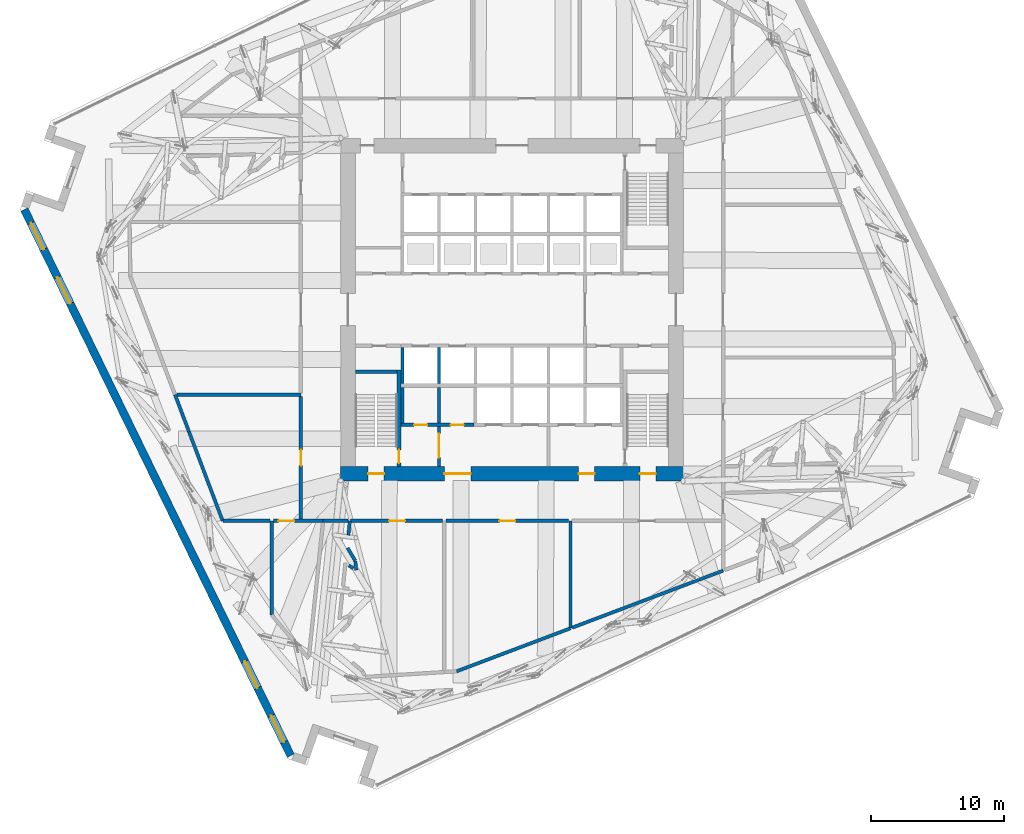
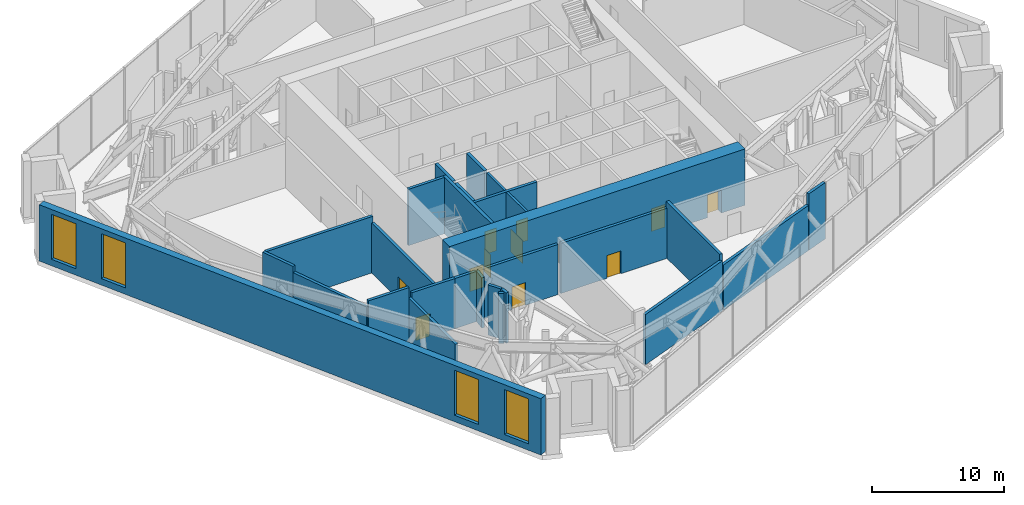
# One storey, part 10 of 21: 28 walls, 12 doors, 4 windows, 16 openings.
"""IFC4 building model written with IfcOpenShell, lengths in metres."""

from ifc_helpers import new_model, si_unit, direction, frame, frame_2d, origin, place, context, subcontext, project, spatial, rectangle, extrude, material, layer, layer_set, type_object, element, fill, save


model = new_model("IFC4")

# Units and contexts
model_context = context("Model", 3, precision=1e-05, world=origin(), true_north=direction((0.0, 1.0)))
body_context = subcontext(model_context, "Body", "Model", "MODEL_VIEW")
ifc_project = project(units=[si_unit("LENGTHUNIT", "METRE"), si_unit("AREAUNIT", "SQUARE_METRE"), si_unit("VOLUMEUNIT", "CUBIC_METRE"), si_unit("PLANEANGLEUNIT", "RADIAN"), si_unit("MASSUNIT", "GRAM", prefix="KILO")], contexts=[model_context])

# Site, building, storey
site_placement = place(None, origin())
site = spatial("IfcSite", under=ifc_project, at=site_placement, CompositionType="ELEMENT")
building_placement = place(site_placement, origin())
building = spatial("IfcBuilding", under=site, at=building_placement, Name="Dilmun Exchange Tower", CompositionType="ELEMENT")
storey_placement = place(building_placement, frame((0.0, 0.0, 130.10009765625)))
storey = spatial("IfcBuildingStorey", under=building, at=storey_placement, Name="L30", CompositionType="ELEMENT", Elevation=130.10009765625)

# Wall, opening, door
ifc_material_1 = material(Name="Concrete C40/50", Category="concrete")
ifc_layer_1 = layer(ifc_material_1, 0.199951171875)
ifc_layer_set_1 = layer_set([ifc_layer_1], Name="Concrete C40/50")
wall_type_1 = type_object("IfcWallType", Name="Core partition wall 200", PredefinedType="PARTITIONING", material=ifc_layer_set_1)
wall_1_placement = place(storey_placement, frame((-5.5, -11.794921875, 0.0), z_axis=(0.0, 0.0, 1.0), x_axis=(0.0, 1.0, 0.0)))
wall_1 = element("IfcWall", 1, at=wall_1_placement, inside=storey, type_object=wall_type_1, Name="L30 core partition wall 01", PredefinedType="PARTITIONING", context=body_context, shape_type="SweptSolid", body=[
    extrude(rectangle(XDim=2.989990234375, YDim=0.199951171875, at=frame_2d((1.4951171875, 0.0))), origin(), (0.0, 0.0, 1.0), 5.199951171875),
])
opening_1_placement = place(wall_1_placement, frame((0.657470703125, 0.0, 0.0)))
opening_1 = element("IfcOpeningElement", 2, at=opening_1_placement, cuts=wall_1, Name="Opening CD5", PredefinedType="OPENING", context=body_context, shape_type="SweptSolid", body=[
    extrude(rectangle(XDim=1.800048828125, YDim=2.10009765625, at=frame_2d((0.89990234375, 1.050048828125))), frame((0.0, 0.10986328125, 0.0), z_axis=(0.0, -1.0, 0.0), x_axis=(1.0, 0.0, 0.0)), (0.0, 0.0, 1.0), 0.219970703125),
])
ifc_material_2 = material(Name="Fire-rated steel door set", Category="steel")
door_type_1 = type_object("IfcDoorType", Name="Stair exit door 1800x2100", OperationType="SINGLE_SWING_LEFT", PredefinedType="DOOR", material=ifc_material_2)
door_1_placement = place(opening_1_placement, origin())
door_1 = element("IfcDoor", 3, at=door_1_placement, inside=storey, type_object=door_type_1, Name="L30 door Service lobby east", OperationType="SINGLE_SWING_LEFT", OverallHeight=2.10009765625, OverallWidth=1.800048828125, PredefinedType="DOOR", context=body_context, shape_type="SweptSolid", body=[
    extrude(rectangle(XDim=1.800048828125, YDim=2.10009765625, at=frame_2d((0.89990234375, 1.050048828125))), frame((0.0, 0.02490234375, 0.0), z_axis=(0.0, -1.0, 0.0), x_axis=(1.0, 0.0, 0.0)), (0.0, 0.0, 1.0), 0.050048828125),
])
fill(opening_1, door_1)

# Wall
wall_2_placement = place(storey_placement, frame((-5.5, -8.544921875, 0.0), z_axis=(0.0, 0.0, 1.0), x_axis=(0.0, 1.0, 0.0)))
element("IfcWall", 4, at=wall_2_placement, inside=storey, type_object=wall_type_1, Name="L30 core partition wall 05", PredefinedType="PARTITIONING", context=body_context, shape_type="SweptSolid", body=[
    extrude(rectangle(XDim=2.68994140625, YDim=0.199951171875, at=frame_2d((1.344970703125, 0.0))), origin(), (0.0, 0.0, 1.0), 5.199951171875),
])

# Wall, openings, doors
ifc_layer_2 = layer(ifc_material_1, 0.25)
ifc_layer_set_2 = layer_set([ifc_layer_2], Name="Concrete C40/50")
wall_type_2 = type_object("IfcWallType", Name="Core partition wall 250", PredefinedType="PARTITIONING", material=ifc_layer_set_2)
wall_3_placement = place(storey_placement, frame((-8.3701171875, -8.675048828125, 0.0), z_axis=(0.0, 0.0, 1.0), x_axis=(1.0, 0.0, 0.0)))
wall_3 = element("IfcWall", 5, at=wall_3_placement, inside=storey, type_object=wall_type_2, Name="L30 core partition wall 03", PredefinedType="PARTITIONING", context=body_context, shape_type="SweptSolid", body=[
    extrude(rectangle(XDim=5.490234375, YDim=0.25, at=frame_2d((2.7451171875, 0.0))), origin(), (0.0, 0.0, 1.0), 5.199951171875),
])
opening_2_placement = place(wall_3_placement, frame((0.9951171875, 0.0, 0.0)))
opening_2 = element("IfcOpeningElement", 6, at=opening_2_placement, cuts=wall_3, Name="Opening CD4", PredefinedType="OPENING", context=body_context, shape_type="SweptSolid", body=[
    extrude(rectangle(XDim=1.0, YDim=2.10009765625, at=frame_2d((0.5, 1.050048828125))), frame((0.0, 0.135009765625, 0.0), z_axis=(0.0, -1.0, 0.0), x_axis=(1.0, 0.0, 0.0)), (0.0, 0.0, 1.0), 0.27001953125),
])
opening_3_placement = place(wall_3_placement, frame((3.7451171875, 0.0, 0.0)))
opening_3 = element("IfcOpeningElement", 7, at=opening_3_placement, cuts=wall_3, Name="Opening CD4", PredefinedType="OPENING", context=body_context, shape_type="SweptSolid", body=[
    extrude(rectangle(XDim=1.0, YDim=2.10009765625, at=frame_2d((0.5, 1.050048828125))), frame((0.0, 0.135009765625, 0.0), z_axis=(0.0, -1.0, 0.0), x_axis=(1.0, 0.0, 0.0)), (0.0, 0.0, 1.0), 0.27001953125),
])
door_type_2 = type_object("IfcDoorType", Name="Core room door 1000x2100", OperationType="SINGLE_SWING_LEFT", PredefinedType="DOOR", material=ifc_material_2)
door_2_placement = place(opening_2_placement, origin())
door_2 = element("IfcDoor", 8, at=door_2_placement, inside=storey, type_object=door_type_2, Name="L30 door Male WC", OperationType="SINGLE_SWING_LEFT", OverallHeight=2.10009765625, OverallWidth=1.0, PredefinedType="DOOR", context=body_context, shape_type="SweptSolid", body=[
    extrude(rectangle(XDim=1.0, YDim=2.10009765625, at=frame_2d((0.5, 1.050048828125))), frame((0.0, 0.02490234375, 0.0), z_axis=(0.0, -1.0, 0.0), x_axis=(1.0, 0.0, 0.0)), (0.0, 0.0, 1.0), 0.050048828125),
])
fill(opening_2, door_2)
door_3_placement = place(opening_3_placement, origin())
door_3 = element("IfcDoor", 9, at=door_3_placement, inside=storey, type_object=door_type_2, Name="L30 door Female WC", OperationType="SINGLE_SWING_LEFT", OverallHeight=2.10009765625, OverallWidth=1.0, PredefinedType="DOOR", context=body_context, shape_type="SweptSolid", body=[
    extrude(rectangle(XDim=1.0, YDim=2.10009765625, at=frame_2d((0.5, 1.050048828125))), frame((0.0, 0.02490234375, 0.0), z_axis=(0.0, -1.0, 0.0), x_axis=(1.0, 0.0, 0.0)), (0.0, 0.0, 1.0), 0.050048828125),
])
fill(opening_3, door_3)

# Wall
wall_4_placement = place(storey_placement, frame((-8.25, -8.544921875, 0.0), z_axis=(0.0, 0.0, 1.0), x_axis=(0.0, 1.0, 0.0)))
element("IfcWall", 10, at=wall_4_placement, inside=storey, type_object=wall_type_2, Name="L30 core partition wall 04", PredefinedType="PARTITIONING", context=body_context, shape_type="SweptSolid", body=[
    extrude(rectangle(XDim=2.68994140625, YDim=0.25, at=frame_2d((1.344970703125, 0.0))), origin(), (0.0, 0.0, 1.0), 5.199951171875),
])

# Wall, openings, doors
ifc_material_3 = material(Name="Concrete C80/95", Category="concrete")
ifc_layer_3 = layer(ifc_material_3, 1.10009765625)
ifc_layer_set_3 = layer_set([ifc_layer_3], Name="Concrete C80/95")
wall_type_3 = type_object("IfcWallType", Name="Core shear wall 1100 Concrete C80/95", PredefinedType="SHEAR", material=ifc_layer_set_3)
wall_5_placement = place(storey_placement, frame((-12.89990234375, -12.35009765625, 0.0), z_axis=(0.0, 0.0, 1.0), x_axis=(1.0, 0.0, 0.0)))
wall_5 = element("IfcWall", 11, at=wall_5_placement, inside=storey, type_object=wall_type_3, Name="L30 core shear wall S", PredefinedType="SHEAR", context=body_context, shape_type="SweptSolid", body=[
    extrude(rectangle(XDim=25.7998046875, YDim=1.10009765625, at=frame_2d((12.89990234375, 0.0))), origin(), (0.0, 0.0, 1.0), 5.199951171875),
])
opening_4_placement = place(wall_5_placement, frame((7.800048828125, 0.0, 0.0)))
opening_4 = element("IfcOpeningElement", 12, at=opening_4_placement, cuts=wall_5, Name="Opening CD2", PredefinedType="OPENING", context=body_context, shape_type="SweptSolid", body=[
    extrude(rectangle(XDim=2.0, YDim=2.10009765625, at=frame_2d((1.0, 1.050048828125))), frame((0.0, 0.56005859375, 0.0), z_axis=(0.0, -1.0, 0.0), x_axis=(1.0, 0.0, 0.0)), (0.0, 0.0, 1.0), 1.1201171875),
])
opening_5_placement = place(wall_5_placement, frame((17.925048828125, 0.0, 0.0)))
opening_5 = element("IfcOpeningElement", 13, at=opening_5_placement, cuts=wall_5, Name="Opening CD3", PredefinedType="OPENING", context=body_context, shape_type="SweptSolid", body=[
    extrude(rectangle(XDim=1.199951171875, YDim=2.10009765625, at=frame_2d((0.60009765625, 1.050048828125))), frame((0.0, 0.56005859375, 0.0), z_axis=(0.0, -1.0, 0.0), x_axis=(1.0, 0.0, 0.0)), (0.0, 0.0, 1.0), 1.1201171875),
])
opening_6_placement = place(wall_5_placement, frame((2.074951171875, 0.0, 0.0)))
opening_6 = element("IfcOpeningElement", 14, at=opening_6_placement, cuts=wall_5, Name="Opening CD3", PredefinedType="OPENING", context=body_context, shape_type="SweptSolid", body=[
    extrude(rectangle(XDim=1.199951171875, YDim=2.10009765625, at=frame_2d((0.60009765625, 1.050048828125))), frame((0.0, 0.56005859375, 0.0), z_axis=(0.0, -1.0, 0.0), x_axis=(1.0, 0.0, 0.0)), (0.0, 0.0, 1.0), 1.1201171875),
])
opening_7_placement = place(wall_5_placement, frame((22.52490234375, 0.0, 0.0)))
opening_7 = element("IfcOpeningElement", 15, at=opening_7_placement, cuts=wall_5, Name="Opening CD3", PredefinedType="OPENING", context=body_context, shape_type="SweptSolid", body=[
    extrude(rectangle(XDim=1.199951171875, YDim=2.10009765625, at=frame_2d((0.60009765625, 1.050048828125))), frame((0.0, 0.56005859375, 0.0), z_axis=(0.0, -1.0, 0.0), x_axis=(1.0, 0.0, 0.0)), (0.0, 0.0, 1.0), 1.1201171875),
])
door_type_3 = type_object("IfcDoorType", Name="Core service door 2000x2100", OperationType="DOUBLE_DOOR_DOUBLE_SWING", PredefinedType="DOOR", material=ifc_material_2)
door_4_placement = place(opening_4_placement, origin())
door_4 = element("IfcDoor", 16, at=door_4_placement, inside=storey, type_object=door_type_3, Name="L30 door South service lobby", OperationType="SINGLE_SWING_LEFT", OverallHeight=2.10009765625, OverallWidth=2.0, PredefinedType="DOOR", context=body_context, shape_type="SweptSolid", body=[
    extrude(rectangle(XDim=2.0, YDim=2.10009765625, at=frame_2d((1.0, 1.050048828125))), frame((0.0, 0.02490234375, 0.0), z_axis=(0.0, -1.0, 0.0), x_axis=(1.0, 0.0, 0.0)), (0.0, 0.0, 1.0), 0.050048828125),
])
fill(opening_4, door_4)
door_type_4 = type_object("IfcDoorType", Name="Stair exit door 1200x2100", OperationType="SINGLE_SWING_LEFT", PredefinedType="DOOR", material=ifc_material_2)
door_5_placement = place(opening_5_placement, origin())
door_5 = element("IfcDoor", 17, at=door_5_placement, inside=storey, type_object=door_type_4, Name="L30 door Fire-fighting lobby", OperationType="SINGLE_SWING_LEFT", OverallHeight=2.10009765625, OverallWidth=1.199951171875, PredefinedType="DOOR", context=body_context, shape_type="SweptSolid", body=[
    extrude(rectangle(XDim=1.199951171875, YDim=2.10009765625, at=frame_2d((0.60009765625, 1.050048828125))), frame((0.0, 0.02490234375, 0.0), z_axis=(0.0, -1.0, 0.0), x_axis=(1.0, 0.0, 0.0)), (0.0, 0.0, 1.0), 0.050048828125),
])
fill(opening_5, door_5)
door_6_placement = place(opening_6_placement, origin())
door_6 = element("IfcDoor", 18, at=door_6_placement, inside=storey, type_object=door_type_4, Name="L30 door Stair ST2", OperationType="SINGLE_SWING_LEFT", OverallHeight=2.10009765625, OverallWidth=1.199951171875, PredefinedType="DOOR", context=body_context, shape_type="SweptSolid", body=[
    extrude(rectangle(XDim=1.199951171875, YDim=2.10009765625, at=frame_2d((0.60009765625, 1.050048828125))), frame((0.0, 0.02490234375, 0.0), z_axis=(0.0, -1.0, 0.0), x_axis=(1.0, 0.0, 0.0)), (0.0, 0.0, 1.0), 0.050048828125),
])
fill(opening_6, door_6)
door_7_placement = place(opening_7_placement, origin())
door_7 = element("IfcDoor", 19, at=door_7_placement, inside=storey, type_object=door_type_4, Name="L30 door Stair ST3", OperationType="SINGLE_SWING_LEFT", OverallHeight=2.10009765625, OverallWidth=1.199951171875, PredefinedType="DOOR", context=body_context, shape_type="SweptSolid", body=[
    extrude(rectangle(XDim=1.199951171875, YDim=2.10009765625, at=frame_2d((0.60009765625, 1.050048828125))), frame((0.0, 0.02490234375, 0.0), z_axis=(0.0, -1.0, 0.0), x_axis=(1.0, 0.0, 0.0)), (0.0, 0.0, 1.0), 0.050048828125),
])
fill(opening_7, door_7)

# Walls
ifc_layer_4 = layer(ifc_material_1, 0.25)
ifc_layer_set_4 = layer_set([ifc_layer_4], Name="Concrete C40/50")
wall_type_4 = type_object("IfcWallType", Name="Lift shaft wall 250", PredefinedType="SOLIDWALL", material=ifc_layer_set_4)
for number, where, z_axis, x_axis, name in (
    (20, (-8.25, -5.550048828125, 0.0), (0.0, 0.0, 1.0), (0.0, 1.0, 0.0), "L30 lift shaft divider S10"),
    (21, (-5.5, -5.550048828125, 0.0), (0.0, 0.0, 1.0), (0.0, 1.0, 0.0), "L30 lift shaft divider S11"),
):
    element("IfcWall", number, at=place(storey_placement, frame(where, z_axis=z_axis, x_axis=x_axis)), inside=storey, type_object=wall_type_4, Name=name, PredefinedType="SOLIDWALL", context=body_context, shape_type="SweptSolid", body=[
        extrude(rectangle(XDim=2.699951171875, YDim=0.25, at=frame_2d((1.35009765625, 0.0))), origin(), (0.0, 0.0, 1.0), 5.199951171875),
    ])
ifc_material_4 = material(Name="Concrete C32/40", Category="concrete")
ifc_layer_5 = layer(ifc_material_4, 0.25)
ifc_layer_set_5 = layer_set([ifc_layer_5], Name="Concrete C32/40")
wall_type_5 = type_object("IfcWallType", Name="Plant room wall 250", PredefinedType="PARTITIONING", material=ifc_layer_set_5)
wall_6_placement = place(storey_placement, frame((-4.166259765625, -27.22900390625, 0.0), z_axis=(0.0, 0.0, 1.0), x_axis=(0.935472877149, 0.353398494788, 0.0)))
element("IfcWall", 22, at=wall_6_placement, inside=storey, type_object=wall_type_5, Name="L30 plant room wall 09", PredefinedType="PARTITIONING", context=body_context, shape_type="SweptSolid", body=[
    extrude(rectangle(XDim=9.156982421875, YDim=0.25, at=frame_2d((4.57861328125, 0.0))), origin(), (0.0, 0.0, 1.0), 4.6298828125),
])
wall_7_placement = place(storey_placement, frame((4.39990234375, -23.978759765625, 0.0), z_axis=(0.0, 0.0, 1.0), x_axis=(0.0, 1.0, 0.0)))
element("IfcWall", 23, at=wall_7_placement, inside=storey, type_object=wall_type_5, Name="L30 plant room wall 10", PredefinedType="PARTITIONING", context=body_context, shape_type="SweptSolid", body=[
    extrude(rectangle(XDim=8.078857421875, YDim=0.25, at=frame_2d((4.03955078125, 0.0))), origin(), (0.0, 0.0, 1.0), 5.199951171875),
])
wall_8_placement = place(storey_placement, frame((-18.10009765625, -22.98583984375, 0.0), z_axis=(0.0, 0.0, 1.0), x_axis=(0.0, 1.0, 0.0)))
element("IfcWall", 24, at=wall_8_placement, inside=storey, type_object=wall_type_5, Name="L30 plant room wall 13", PredefinedType="PARTITIONING", context=body_context, shape_type="SweptSolid", body=[
    extrude(rectangle(XDim=7.0859375, YDim=0.25, at=frame_2d((3.54296875, 0.0))), origin(), (0.0, 0.0, 1.0), 4.171875),
])
wall_9_placement = place(storey_placement, frame((4.530029296875, -23.94384765625, 0.0), z_axis=(0.0, 0.0, 1.0), x_axis=(0.935412470294, 0.35355835504, 0.0)))
element("IfcWall", 25, at=wall_9_placement, inside=storey, type_object=wall_type_5, Name="L30 plant room wall 18", PredefinedType="PARTITIONING", context=body_context, shape_type="SweptSolid", body=[
    extrude(rectangle(XDim=10.169921875, YDim=0.25, at=frame_2d((5.0849609375, 0.0))), origin(), (0.0, 0.0, 1.0), 4.171875),
])
wall_10_placement = place(storey_placement, frame((14.06982421875, -20.340087890625, 0.0), z_axis=(0.0, 0.0, 1.0), x_axis=(0.935464758916, 0.353419983625, 0.0)))
element("IfcWall", 26, at=wall_10_placement, inside=storey, type_object=wall_type_5, Name="L30 plant room wall 19", PredefinedType="PARTITIONING", context=body_context, shape_type="SweptSolid", body=[
    extrude(rectangle(XDim=1.956298828125, YDim=0.25, at=frame_2d((0.97802734375, 0.0))), origin(), (0.0, 0.0, 1.0), 5.199951171875),
])
wall_11_placement = place(storey_placement, frame((-11.80029296875, -18.91845703125, 0.0), z_axis=(0.0, 0.0, 1.0), x_axis=(0.104775383104, -0.994495912056, 0.0)))
element("IfcWall", 27, at=wall_11_placement, inside=storey, type_object=wall_type_5, Name="L30 plant room wall 21", PredefinedType="PARTITIONING", context=body_context, shape_type="SweptSolid", body=[
    extrude(rectangle(XDim=0.701416015625, YDim=0.25, at=frame_2d((0.3505859375, 0.0))), origin(), (0.0, 0.0, 1.0), 4.6298828125),
])
wall_12_placement = place(storey_placement, frame((-12.292236328125, -19.24755859375, 0.0), z_axis=(0.0, 0.0, 1.0), x_axis=(0.829382462758, -0.558681242275, 0.0)))
element("IfcWall", 28, at=wall_12_placement, inside=storey, type_object=wall_type_5, Name="L30 plant room wall 22", PredefinedType="PARTITIONING", context=body_context, shape_type="SweptSolid", body=[
    extrude(rectangle(XDim=0.423828125, YDim=0.25, at=frame_2d((0.2119140625, 0.0))), origin(), (0.0, 0.0, 1.0), 4.6298828125),
])
wall_13_placement = place(storey_placement, frame((-12.381103515625, -17.94091796875, 0.0), z_axis=(0.0, 0.0, 1.0), x_axis=(0.515467271281, -0.856909267215, 0.0)))
element("IfcWall", 29, at=wall_13_placement, inside=storey, type_object=wall_type_5, Name="L30 plant room wall 23", PredefinedType="PARTITIONING", context=body_context, shape_type="SweptSolid", body=[
    extrude(rectangle(XDim=1.1083984375, YDim=0.25, at=frame_2d((0.55419921875, 0.0))), origin(), (0.0, 0.0, 1.0), 4.6298828125),
])
wall_14_placement = place(storey_placement, frame((-12.322265625, -16.98388671875, 0.0), z_axis=(0.0, 0.0, 1.0), x_axis=(0.10416005733, 0.994560547406, 0.0)))
element("IfcWall", 30, at=wall_14_placement, inside=storey, type_object=wall_type_5, Name="L30 plant room wall 28", PredefinedType="PARTITIONING", context=body_context, shape_type="SweptSolid", body=[
    extrude(rectangle(XDim=1.08984375, YDim=0.25, at=frame_2d((0.544921875, 0.0))), origin(), (0.0, 0.0, 1.0), 4.6298828125),
])
wall_15_placement = place(storey_placement, frame((-24.32275390625, -9.18701171875, 0.0), z_axis=(0.0, 0.0, 1.0), x_axis=(0.353329772041, -0.935498836017, 0.0)))
element("IfcWall", 31, at=wall_15_placement, inside=storey, type_object=wall_type_5, Name="L30 plant room wall 29", PredefinedType="PARTITIONING", context=body_context, shape_type="SweptSolid", body=[
    extrude(rectangle(XDim=7.17578125, YDim=0.25, at=frame_2d((3.587890625, 0.0))), origin(), (0.0, 0.0, 1.0), 4.6298828125),
])

# Wall, opening, door
wall_16_placement = place(storey_placement, frame((-17.969970703125, -15.89990234375, 0.0), z_axis=(0.0, 0.0, 1.0), x_axis=(1.0, 0.0, 0.0)))
wall_16 = element("IfcWall", 32, at=wall_16_placement, inside=storey, type_object=wall_type_5, Name="L30 plant room wall 30", PredefinedType="PARTITIONING", context=body_context, shape_type="SweptSolid", body=[
    extrude(rectangle(XDim=3.750244140625, YDim=0.25, at=frame_2d((1.875, 0.0))), origin(), (0.0, 0.0, 1.0), 4.6298828125),
])
opening_8_placement = place(wall_16_placement, frame((0.3857421875, 0.0, 0.0)))
opening_8 = element("IfcOpeningElement", 33, at=opening_8_placement, cuts=wall_16, Name="Opening PD2", PredefinedType="OPENING", context=body_context, shape_type="SweptSolid", body=[
    extrude(rectangle(XDim=1.199951171875, YDim=2.10009765625, at=frame_2d((0.60009765625, 1.050048828125))), frame((0.0, 0.135009765625, 0.0), z_axis=(0.0, -1.0, 0.0), x_axis=(1.0, 0.0, 0.0)), (0.0, 0.0, 1.0), 0.27001953125),
])
door_type_5 = type_object("IfcDoorType", Name="Plant room door 1200x2100", OperationType="SINGLE_SWING_LEFT", PredefinedType="DOOR", material=ifc_material_2)
door_8_placement = place(opening_8_placement, origin())
door_8 = element("IfcDoor", 34, at=door_8_placement, inside=storey, type_object=door_type_5, Name="L30 door Mechanical valve room", OperationType="SINGLE_SWING_LEFT", OverallHeight=2.10009765625, OverallWidth=1.199951171875, PredefinedType="DOOR", context=body_context, shape_type="SweptSolid", body=[
    extrude(rectangle(XDim=1.199951171875, YDim=2.10009765625, at=frame_2d((0.60009765625, 1.050048828125))), frame((0.0, 0.02490234375, 0.0), z_axis=(0.0, -1.0, 0.0), x_axis=(1.0, 0.0, 0.0)), (0.0, 0.0, 1.0), 0.050048828125),
])
fill(opening_8, door_8)

# Walls
wall_17_placement = place(storey_placement, frame((-21.773193359375, -15.89990234375, 0.0), z_axis=(0.0, 0.0, 1.0), x_axis=(1.0, 0.0, 0.0)))
element("IfcWall", 35, at=wall_17_placement, inside=storey, type_object=wall_type_5, Name="L30 plant room wall 31", PredefinedType="PARTITIONING", context=body_context, shape_type="SweptSolid", body=[
    extrude(rectangle(XDim=3.543212890625, YDim=0.25, at=frame_2d((1.771484375, 0.0))), origin(), (0.0, 0.0, 1.0), 5.199951171875),
])
wall_18_placement = place(storey_placement, frame((-14.214599609375, -15.89990234375, 0.0), z_axis=(0.0, 0.0, 1.0), x_axis=(1.0, 0.0, 0.0)))
element("IfcWall", 36, at=wall_18_placement, inside=storey, type_object=wall_type_5, Name="L30 plant room wall 32", PredefinedType="PARTITIONING", context=body_context, shape_type="SweptSolid", body=[
    extrude(rectangle(XDim=1.875, YDim=0.25, at=frame_2d((0.9375, 0.0))), origin(), (0.0, 0.0, 1.0), 4.6298828125),
])

# Wall, opening, door
wall_19_placement = place(storey_placement, frame((-12.160888671875, -15.89990234375, 0.0), z_axis=(0.0, 0.0, 1.0), x_axis=(1.0, 0.0, 0.0)))
wall_19 = element("IfcWall", 37, at=wall_19_placement, inside=storey, type_object=wall_type_5, Name="L30 plant room wall 33", PredefinedType="PARTITIONING", context=body_context, shape_type="SweptSolid", body=[
    extrude(rectangle(XDim=6.930908203125, YDim=0.25, at=frame_2d((3.46533203125, 0.0))), origin(), (0.0, 0.0, 1.0), 4.6298828125),
])
opening_9_placement = place(wall_19_placement, frame((2.90625, 0.0, 0.0)))
opening_9 = element("IfcOpeningElement", 38, at=opening_9_placement, cuts=wall_19, Name="Opening PD2", PredefinedType="OPENING", context=body_context, shape_type="SweptSolid", body=[
    extrude(rectangle(XDim=1.199951171875, YDim=2.10009765625, at=frame_2d((0.60009765625, 1.050048828125))), frame((0.0, 0.135009765625, 0.0), z_axis=(0.0, -1.0, 0.0), x_axis=(1.0, 0.0, 0.0)), (0.0, 0.0, 1.0), 0.27001953125),
])
door_9_placement = place(opening_9_placement, origin())
door_9 = element("IfcDoor", 39, at=door_9_placement, inside=storey, type_object=door_type_5, Name="L30 door Plant fire pump room", OperationType="SINGLE_SWING_LEFT", OverallHeight=2.10009765625, OverallWidth=1.199951171875, PredefinedType="DOOR", context=body_context, shape_type="SweptSolid", body=[
    extrude(rectangle(XDim=1.199951171875, YDim=2.10009765625, at=frame_2d((0.60009765625, 1.050048828125))), frame((0.0, 0.02490234375, 0.0), z_axis=(0.0, -1.0, 0.0), x_axis=(1.0, 0.0, 0.0)), (0.0, 0.0, 1.0), 0.050048828125),
])
fill(opening_9, door_9)

wall_20_placement = place(storey_placement, frame((-4.969970703125, -15.89990234375, 0.0), z_axis=(0.0, 0.0, 1.0), x_axis=(1.0, 0.0, 0.0)))
wall_20 = element("IfcWall", 40, at=wall_20_placement, inside=storey, type_object=wall_type_5, Name="L30 plant room wall 34", PredefinedType="PARTITIONING", context=body_context, shape_type="SweptSolid", body=[
    extrude(rectangle(XDim=9.239990234375, YDim=0.25, at=frame_2d((4.6201171875, 0.0))), origin(), (0.0, 0.0, 1.0), 4.6298828125),
])
opening_10_placement = place(wall_20_placement, frame((4.02001953125, 0.0, 0.0)))
opening_10 = element("IfcOpeningElement", 41, at=opening_10_placement, cuts=wall_20, Name="Opening PD2", PredefinedType="OPENING", context=body_context, shape_type="SweptSolid", body=[
    extrude(rectangle(XDim=1.199951171875, YDim=2.10009765625, at=frame_2d((0.60009765625, 1.050048828125))), frame((0.0, 0.135009765625, 0.0), z_axis=(0.0, -1.0, 0.0), x_axis=(1.0, 0.0, 0.0)), (0.0, 0.0, 1.0), 0.27001953125),
])
door_10_placement = place(opening_10_placement, origin())
door_10 = element("IfcDoor", 42, at=door_10_placement, inside=storey, type_object=door_type_5, Name="L30 door Transformer room", OperationType="SINGLE_SWING_RIGHT", OverallHeight=2.10009765625, OverallWidth=1.199951171875, PredefinedType="DOOR", context=body_context, shape_type="SweptSolid", body=[
    extrude(rectangle(XDim=1.199951171875, YDim=2.10009765625, at=frame_2d((0.60009765625, 1.050048828125))), frame((0.0, 0.02490234375, 0.0), z_axis=(0.0, -1.0, 0.0), x_axis=(1.0, 0.0, 0.0)), (0.0, 0.0, 1.0), 0.050048828125),
])
fill(opening_10, door_10)

# Walls
wall_21_placement = place(storey_placement, frame((-25.37548828125, -6.39990234375, 0.0), z_axis=(0.0, 0.0, 1.0), x_axis=(0.353362258841, -0.935486565391, 0.0)))
element("IfcWall", 43, at=wall_21_placement, inside=storey, type_object=wall_type_5, Name="L30 plant room wall 57", PredefinedType="PARTITIONING", context=body_context, shape_type="SweptSolid", body=[
    extrude(rectangle(XDim=2.974365234375, YDim=0.25, at=frame_2d((1.4873046875, 0.0))), origin(), (0.0, 0.0, 1.0), 5.199951171875),
])
wall_22_placement = place(storey_placement, frame((-25.236572265625, -6.39990234375, 0.0), z_axis=(0.0, 0.0, 1.0), x_axis=(1.0, 0.0, 0.0)))
element("IfcWall", 44, at=wall_22_placement, inside=storey, type_object=wall_type_5, Name="L30 plant room wall 61", PredefinedType="PARTITIONING", context=body_context, shape_type="SweptSolid", body=[
    extrude(rectangle(XDim=9.336669921875, YDim=0.25, at=frame_2d((4.66845703125, 0.0))), origin(), (0.0, 0.0, 1.0), 5.199951171875),
])

# Wall, opening, door
wall_23_placement = place(storey_placement, frame((-15.89990234375, -15.77001953125, 0.0), z_axis=(0.0, 0.0, 1.0), x_axis=(0.0, 1.0, 0.0)))
wall_23 = element("IfcWall", 45, at=wall_23_placement, inside=storey, type_object=wall_type_5, Name="L30 plant room wall 62", PredefinedType="PARTITIONING", context=body_context, shape_type="SweptSolid", body=[
    extrude(rectangle(XDim=9.239990234375, YDim=0.25, at=frame_2d((4.6201171875, 0.0))), origin(), (0.0, 0.0, 1.0), 4.6298828125),
])
opening_11_placement = place(wall_23_placement, frame((4.02001953125, 0.0, 0.0)))
opening_11 = element("IfcOpeningElement", 46, at=opening_11_placement, cuts=wall_23, Name="Opening PD2", PredefinedType="OPENING", context=body_context, shape_type="SweptSolid", body=[
    extrude(rectangle(XDim=1.199951171875, YDim=2.10009765625, at=frame_2d((0.60009765625, 1.050048828125))), frame((0.0, 0.135009765625, 0.0), z_axis=(0.0, -1.0, 0.0), x_axis=(1.0, 0.0, 0.0)), (0.0, 0.0, 1.0), 0.27001953125),
])
door_11_placement = place(opening_11_placement, origin())
door_11 = element("IfcDoor", 47, at=door_11_placement, inside=storey, type_object=door_type_5, Name="L30 door Refuge area", OperationType="SINGLE_SWING_RIGHT", OverallHeight=2.10009765625, OverallWidth=1.199951171875, PredefinedType="DOOR", context=body_context, shape_type="SweptSolid", body=[
    extrude(rectangle(XDim=1.199951171875, YDim=2.10009765625, at=frame_2d((0.60009765625, 1.050048828125))), frame((0.0, 0.02490234375, 0.0), z_axis=(0.0, -1.0, 0.0), x_axis=(1.0, 0.0, 0.0)), (0.0, 0.0, 1.0), 0.050048828125),
])
fill(opening_11, door_11)

# Wall, openings, windows
ifc_material_5 = material(Name="Precast concrete C50/60", Category="concrete")
ifc_layer_6 = layer(ifc_material_5, 0.60009765625)
ifc_layer_set_6 = layer_set([ifc_layer_6], Name="Precast concrete C50/60")
wall_type_6 = type_object("IfcWallType", Name="Precast stone-clad wall 600", PredefinedType="STANDARD", material=ifc_layer_set_6)
wall_24_placement = place(storey_placement, frame((-36.72216796875, 7.541015625, 0.0), z_axis=(0.0, 0.0, 1.0), x_axis=(0.438372115174, -0.898793573986, 0.0)))
wall_24 = element("IfcWall", 48, at=wall_24_placement, inside=storey, type_object=wall_type_6, Name="Facade wall L30-09", PredefinedType="STANDARD", context=body_context, shape_type="SweptSolid", body=[
    extrude(rectangle(XDim=45.75146484375, YDim=0.60009765625, at=frame_2d((22.875732421875, 0.0))), origin(), (0.0, 0.0, 1.0), 5.199951171875),
])
opening_12_placement = place(wall_24_placement, frame((1.137939453125, 0.0, 0.60009765625)))
opening_12 = element("IfcOpeningElement", 49, at=opening_12_placement, cuts=wall_24, Name="Opening LV220-415", PredefinedType="OPENING", context=body_context, shape_type="SweptSolid", body=[
    extrude(rectangle(XDim=2.199951171875, YDim=4.14990234375, at=frame_2d((1.10009765625, 2.074951171875))), frame((0.0, 0.31005859375, 0.0), z_axis=(0.0, -1.0, 0.0), x_axis=(1.0, 0.0, 0.0)), (0.0, 0.0, 1.0), 0.6201171875),
])
opening_13_placement = place(wall_24_placement, frame((5.67578125, 0.0, 0.60009765625)))
opening_13 = element("IfcOpeningElement", 50, at=opening_13_placement, cuts=wall_24, Name="Opening LV220-415", PredefinedType="OPENING", context=body_context, shape_type="SweptSolid", body=[
    extrude(rectangle(XDim=2.199951171875, YDim=4.14990234375, at=frame_2d((1.10009765625, 2.074951171875))), frame((0.0, 0.31005859375, 0.0), z_axis=(0.0, -1.0, 0.0), x_axis=(1.0, 0.0, 0.0)), (0.0, 0.0, 1.0), 0.6201171875),
])
opening_14_placement = place(wall_24_placement, frame((37.875732421875, 0.0, 0.60009765625)))
opening_14 = element("IfcOpeningElement", 51, at=opening_14_placement, cuts=wall_24, Name="Opening LV220-415", PredefinedType="OPENING", context=body_context, shape_type="SweptSolid", body=[
    extrude(rectangle(XDim=2.199951171875, YDim=4.14990234375, at=frame_2d((1.10009765625, 2.074951171875))), frame((0.0, 0.31005859375, 0.0), z_axis=(0.0, -1.0, 0.0), x_axis=(1.0, 0.0, 0.0)), (0.0, 0.0, 1.0), 0.6201171875),
])
opening_15_placement = place(wall_24_placement, frame((42.41357421875, 0.0, 0.60009765625)))
opening_15 = element("IfcOpeningElement", 52, at=opening_15_placement, cuts=wall_24, Name="Opening LV220-415", PredefinedType="OPENING", context=body_context, shape_type="SweptSolid", body=[
    extrude(rectangle(XDim=2.199951171875, YDim=4.14990234375, at=frame_2d((1.10009765625, 2.074951171875))), frame((0.0, 0.31005859375, 0.0), z_axis=(0.0, -1.0, 0.0), x_axis=(1.0, 0.0, 0.0)), (0.0, 0.0, 1.0), 0.6201171875),
])
ifc_material_6 = material(Name="Anodised aluminium louvre blades with sand trap", Category="aluminium")
window_type = type_object("IfcWindowType", Name="Plant louvre 2200 x 4150", PartitioningType="SINGLE_PANEL", PredefinedType="USERDEFINED", material=ifc_material_6)
window_1_placement = place(opening_12_placement, origin())
window_1 = element("IfcWindow", 53, at=window_1_placement, inside=storey, type_object=window_type, Name="Plant louvre 10.1", ObjectType="LOUVRE", OverallHeight=4.14990234375, OverallWidth=2.199951171875, PartitioningType="SINGLE_PANEL", PredefinedType="USERDEFINED", context=body_context, shape_type="SweptSolid", body=[
    extrude(rectangle(XDim=2.199951171875, YDim=4.14990234375, at=frame_2d((1.10009765625, 2.074951171875))), frame((0.0, 0.030029296875, 0.0), z_axis=(0.0, -1.0, 0.0), x_axis=(1.0, 0.0, 0.0)), (0.0, 0.0, 1.0), 0.06005859375),
])
fill(opening_12, window_1)
window_2_placement = place(opening_13_placement, origin())
window_2 = element("IfcWindow", 54, at=window_2_placement, inside=storey, type_object=window_type, Name="Plant louvre 10.2", ObjectType="LOUVRE", OverallHeight=4.14990234375, OverallWidth=2.199951171875, PartitioningType="SINGLE_PANEL", PredefinedType="USERDEFINED", context=body_context, shape_type="SweptSolid", body=[
    extrude(rectangle(XDim=2.199951171875, YDim=4.14990234375, at=frame_2d((1.10009765625, 2.074951171875))), frame((0.0, 0.030029296875, 0.0), z_axis=(0.0, -1.0, 0.0), x_axis=(1.0, 0.0, 0.0)), (0.0, 0.0, 1.0), 0.06005859375),
])
fill(opening_13, window_2)
window_3_placement = place(opening_14_placement, origin())
window_3 = element("IfcWindow", 55, at=window_3_placement, inside=storey, type_object=window_type, Name="Plant louvre 10.9", ObjectType="LOUVRE", OverallHeight=4.14990234375, OverallWidth=2.199951171875, PartitioningType="SINGLE_PANEL", PredefinedType="USERDEFINED", context=body_context, shape_type="SweptSolid", body=[
    extrude(rectangle(XDim=2.199951171875, YDim=4.14990234375, at=frame_2d((1.10009765625, 2.074951171875))), frame((0.0, 0.030029296875, 0.0), z_axis=(0.0, -1.0, 0.0), x_axis=(1.0, 0.0, 0.0)), (0.0, 0.0, 1.0), 0.06005859375),
])
fill(opening_14, window_3)
window_4_placement = place(opening_15_placement, origin())
window_4 = element("IfcWindow", 56, at=window_4_placement, inside=storey, type_object=window_type, Name="Plant louvre 10.10", ObjectType="LOUVRE", OverallHeight=4.14990234375, OverallWidth=2.199951171875, PartitioningType="SINGLE_PANEL", PredefinedType="USERDEFINED", context=body_context, shape_type="SweptSolid", body=[
    extrude(rectangle(XDim=2.199951171875, YDim=4.14990234375, at=frame_2d((1.10009765625, 2.074951171875))), frame((0.0, 0.030029296875, 0.0), z_axis=(0.0, -1.0, 0.0), x_axis=(1.0, 0.0, 0.0)), (0.0, 0.0, 1.0), 0.06005859375),
])
fill(opening_15, window_4)

# Wall
ifc_layer_7 = layer(ifc_material_1, 0.25)
ifc_layer_set_7 = layer_set([ifc_layer_7], Name="Concrete C40/50")
wall_type_7 = type_object("IfcWallType", Name="Stair end wall 250", PredefinedType="SOLIDWALL", material=ifc_layer_set_7)
wall_25_placement = place(storey_placement, frame((-8.64990234375, -4.675048828125, 0.0), z_axis=(0.0, 0.0, 1.0), x_axis=(-1.0, 0.0, 0.0)))
element("IfcWall", 57, at=wall_25_placement, inside=storey, type_object=wall_type_7, Name="L30 ST2 far wall", PredefinedType="SOLIDWALL", context=body_context, shape_type="SweptSolid", body=[
    extrude(rectangle(XDim=3.150146484375, YDim=0.25, at=frame_2d((1.5751953125, 0.0))), origin(), (0.0, 0.0, 1.0), 5.199951171875),
])

# Wall, opening, door
ifc_layer_8 = layer(ifc_material_1, 0.27490234375)
ifc_layer_set_8 = layer_set([ifc_layer_8], Name="Concrete C40/50")
wall_type_8 = type_object("IfcWallType", Name="Stair wall 275", PredefinedType="SOLIDWALL", material=ifc_layer_set_8)
wall_26_placement = place(storey_placement, frame((-8.512451171875, -4.550048828125, 0.0), z_axis=(0.0, 0.0, 1.0), x_axis=(0.0, -1.0, 0.0)))
wall_26 = element("IfcWall", 58, at=wall_26_placement, inside=storey, type_object=wall_type_8, Name="L30 ST2 wall to lift block", PredefinedType="SOLIDWALL", context=body_context, shape_type="SweptSolid", body=[
    extrude(rectangle(XDim=7.25, YDim=0.27490234375, at=frame_2d((3.625, 0.0))), origin(), (0.0, 0.0, 1.0), 5.199951171875),
])
opening_16_placement = place(wall_26_placement, frame((6.0, 0.0, 0.0)))
opening_16 = element("IfcOpeningElement", 59, at=opening_16_placement, cuts=wall_26, Name="Opening CD4", PredefinedType="OPENING", context=body_context, shape_type="SweptSolid", body=[
    extrude(rectangle(XDim=1.0, YDim=2.10009765625, at=frame_2d((0.5, 1.050048828125))), frame((0.0, 0.1474609375, 0.0), z_axis=(0.0, -1.0, 0.0), x_axis=(1.0, 0.0, 0.0)), (0.0, 0.0, 1.0), 0.294921875),
])
door_12_placement = place(opening_16_placement, origin())
door_12 = element("IfcDoor", 60, at=door_12_placement, inside=storey, type_object=door_type_2, Name="L30 door ST2 from lobby", OperationType="SINGLE_SWING_LEFT", OverallHeight=2.10009765625, OverallWidth=1.0, PredefinedType="DOOR", context=body_context, shape_type="SweptSolid", body=[
    extrude(rectangle(XDim=1.0, YDim=2.10009765625, at=frame_2d((0.5, 1.050048828125))), frame((0.0, 0.02490234375, 0.0), z_axis=(0.0, -1.0, 0.0), x_axis=(1.0, 0.0, 0.0)), (0.0, 0.0, 1.0), 0.050048828125),
])
fill(opening_16, door_12)

save(model, "model.ifc")
